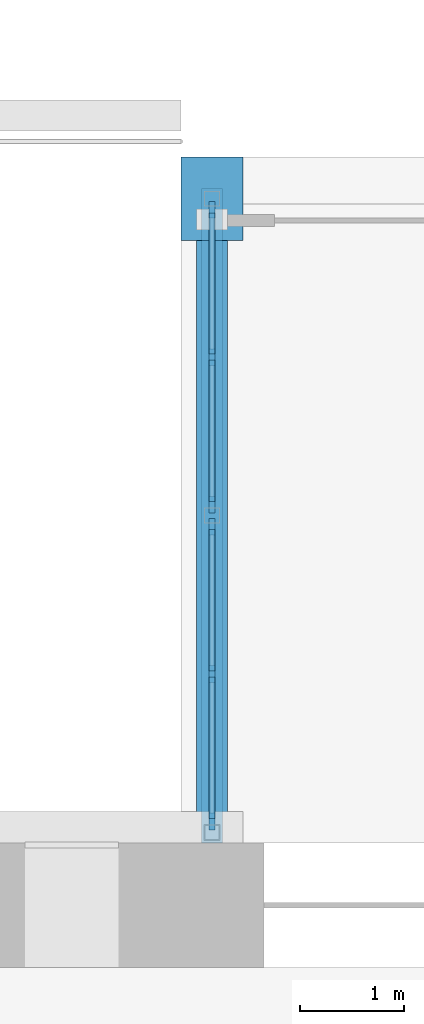
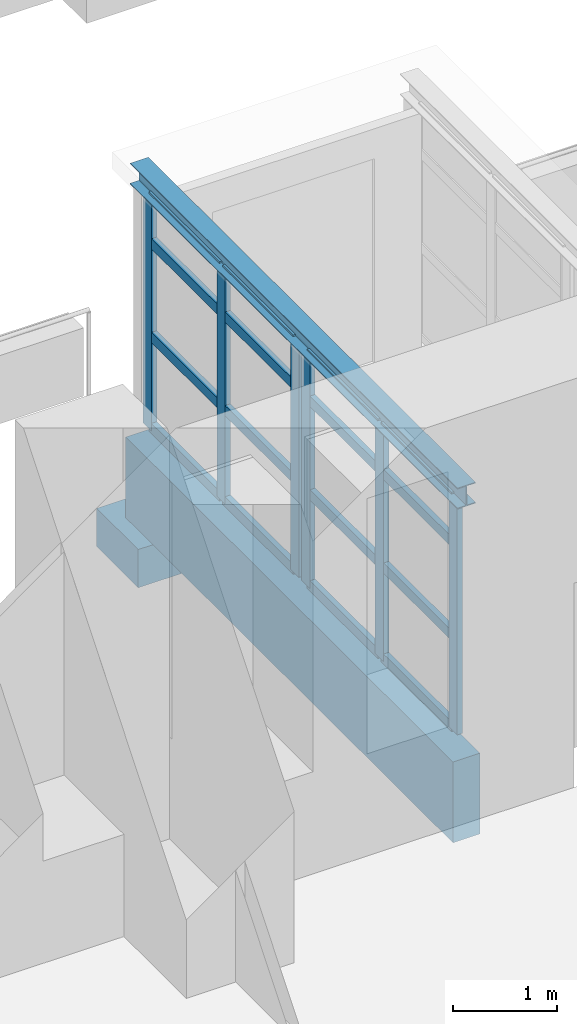
# One storey, part 46 of 131: 22 members, 3 beams, 2 elements without a shape of their own.
"""IFC4 building model written with IfcOpenShell, lengths in metres."""

from ifc_helpers import new_model, si_unit, direction, frame, origin, origin_2d, place, context, subcontext, project, spatial, rectangle, i_section, extrude, material, layer, layer_set, material_profile, profile_set, type_object, element, aggregate, save


model = new_model("IFC4")

# Units and contexts
model_context = context("Model", 3, precision=1e-05, world=origin(), true_north=direction((0.0, 1.0)))
body_context = subcontext(model_context, "Body", "Model", "MODEL_VIEW")
ifc_project = project(units=[si_unit("LENGTHUNIT", "METRE"), si_unit("AREAUNIT", "SQUARE_METRE"), si_unit("VOLUMEUNIT", "CUBIC_METRE"), si_unit("PLANEANGLEUNIT", "RADIAN"), si_unit("MASSUNIT", "GRAM", prefix="KILO")], contexts=[model_context])

# Site, building, storey
site_placement = place(None, origin())
site = spatial("IfcSite", under=ifc_project, at=site_placement, CompositionType="ELEMENT")
building_placement = place(site_placement, origin())
building = spatial("IfcBuilding", under=site, at=building_placement, Name="Alderwick Market Hall", CompositionType="ELEMENT")
storey_placement = place(building_placement, frame((0.0, 0.0, 4.800048828125)))
storey = spatial("IfcBuildingStorey", under=building, at=storey_placement, Name="L00", CompositionType="ELEMENT", Elevation=4.800048828125)

# Curtain wall, members
ifc_material_1 = material(Name="Aluminium frame", Category="aluminium")
ifc_layer = layer(ifc_material_1, 0.10009765625)
ifc_layer_set = layer_set([ifc_layer], Name="Aluminium frame")
curtain_wall_type = type_object("IfcCurtainWallType", Name="P Curtain Wall 100", PredefinedType="NOTDEFINED", material=ifc_layer_set)
curtain_wall_1_placement = place(storey_placement, origin())
curtain_wall_1 = element("IfcCurtainWall", 1, at=curtain_wall_1_placement, inside=storey, type_object=curtain_wall_type, Name="P.P2.cw.a0", PredefinedType="NOTDEFINED")
ifc_material_profile_1 = material_profile(ifc_material_1, rectangle(XDim=0.06005859375, YDim=0.159912109375, at=origin_2d()), Name="P Mullion 60x160")
ifc_profile_set_1 = profile_set([ifc_material_profile_1], Name="Aluminium frame")
member_type_1 = type_object("IfcMemberType", Name="P Mullion 60x160", PredefinedType="MULLION", material=ifc_profile_set_1)
member_1_placement = place(storey_placement, frame((126.300048828125, 108.805908203125, 0.0), z_axis=(0.0, 0.0, 1.0), x_axis=(-1.0, 0.0, 0.0)))
member_1 = element("IfcMember", 2, at=member_1_placement, type_object=member_type_1, Name="P-CW2a0 mullion 1", PredefinedType="MULLION", context=body_context, shape_type="SweptSolid", body=[
    extrude(rectangle(XDim=0.06005859375, YDim=0.159912109375, at=origin_2d()), origin(), (0.0, 0.0, 1.0), 2.7529296875),
])
member_2_placement = place(storey_placement, frame((126.300048828125, 110.22509765625, 0.0), z_axis=(0.0, 0.0, 1.0), x_axis=(-1.0, 0.0, 0.0)))
member_2 = element("IfcMember", 3, at=member_2_placement, type_object=member_type_1, Name="P-CW2a0 mullion 2", PredefinedType="MULLION", context=body_context, shape_type="SweptSolid", body=[
    extrude(rectangle(XDim=0.06005859375, YDim=0.159912109375, at=origin_2d()), origin(), (0.0, 0.0, 1.0), 2.7529296875),
])
member_3_placement = place(storey_placement, frame((126.300048828125, 111.64404296875, 0.0), z_axis=(0.0, 0.0, 1.0), x_axis=(-1.0, 0.0, 0.0)))
member_3 = element("IfcMember", 4, at=member_3_placement, type_object=member_type_1, Name="P-CW2a0 mullion 3", PredefinedType="MULLION", context=body_context, shape_type="SweptSolid", body=[
    extrude(rectangle(XDim=0.06005859375, YDim=0.159912109375, at=origin_2d()), origin(), (0.0, 0.0, 1.0), 2.7529296875),
])

curtain_wall_2_placement = place(storey_placement, origin())
curtain_wall_2 = element("IfcCurtainWall", 5, at=curtain_wall_2_placement, inside=storey, type_object=curtain_wall_type, Name="P.P2.cw.a1", PredefinedType="NOTDEFINED")
member_4_placement = place(storey_placement, frame((126.300048828125, 111.85595703125, 0.0), z_axis=(0.0, 0.0, 1.0), x_axis=(-1.0, 0.0, 0.0)))
member_4 = element("IfcMember", 6, at=member_4_placement, type_object=member_type_1, Name="P-CW2a1 mullion 1", PredefinedType="MULLION", context=body_context, shape_type="SweptSolid", body=[
    extrude(rectangle(XDim=0.06005859375, YDim=0.159912109375, at=origin_2d()), origin(), (0.0, 0.0, 1.0), 2.7529296875),
])
member_5_placement = place(storey_placement, frame((126.300048828125, 113.27490234375, 0.0), z_axis=(0.0, 0.0, 1.0), x_axis=(-1.0, 0.0, 0.0)))
member_5 = element("IfcMember", 7, at=member_5_placement, type_object=member_type_1, Name="P-CW2a1 mullion 2", PredefinedType="MULLION", context=body_context, shape_type="SweptSolid", body=[
    extrude(rectangle(XDim=0.06005859375, YDim=0.159912109375, at=origin_2d()), origin(), (0.0, 0.0, 1.0), 2.7529296875),
])
member_6_placement = place(storey_placement, frame((126.300048828125, 114.694091796875, 0.0), z_axis=(0.0, 0.0, 1.0), x_axis=(-1.0, 0.0, 0.0)))
member_6 = element("IfcMember", 8, at=member_6_placement, type_object=member_type_1, Name="P-CW2a1 mullion 3", PredefinedType="MULLION", context=body_context, shape_type="SweptSolid", body=[
    extrude(rectangle(XDim=0.06005859375, YDim=0.159912109375, at=origin_2d()), origin(), (0.0, 0.0, 1.0), 2.7529296875),
])

# Beams
ifc_material_2 = material(Name="Concrete 5000 psi (f'c 35 MPa)", Category="concrete")
ifc_material_profile_2 = material_profile(ifc_material_2, rectangle(XDim=0.60009765625, YDim=0.449951171875, at=origin_2d()), Name="P RC Bearing Corbel 600x450")
ifc_profile_set_2 = profile_set([ifc_material_profile_2], Name="Concrete 5000 psi (f'c 35 MPa)")
beam_type_1 = type_object("IfcBeamType", Name="P RC Bearing Corbel 600x450", PredefinedType="USERDEFINED", material=ifc_profile_set_2)
beam_1_placement = place(storey_placement, frame((126.300048828125, 114.39990234375, -1.39306640625), z_axis=(0.0, 1.0, 0.0), x_axis=(-1.0, 0.0, 0.0)))
element("IfcBeam", 9, at=beam_1_placement, inside=storey, type_object=beam_type_1, Name="Bearing corbel", ObjectType="CORBEL", PredefinedType="USERDEFINED", context=body_context, shape_type="SweptSolid", body=[
    extrude(rectangle(XDim=0.60009765625, YDim=0.449951171875, at=origin_2d()), origin(), (0.0, 0.0, 1.0), 0.800048828125),
])
ifc_material_profile_3 = material_profile(ifc_material_2, rectangle(XDim=0.300048828125, YDim=0.949951171875, at=origin_2d()), Name="P RC Edge Girder 300x950")
ifc_profile_set_3 = profile_set([ifc_material_profile_3], Name="Concrete 5000 psi (f'c 35 MPa)")
beam_type_2 = type_object("IfcBeamType", Name="P RC Edge Girder 300x950", PredefinedType="BEAM", material=ifc_profile_set_3)
beam_2_placement = place(storey_placement, frame((126.300048828125, 108.60009765625, -0.675048828125), z_axis=(0.0, 1.0, 0.0), x_axis=(-1.0, 0.0, 0.0)))
element("IfcBeam", 10, at=beam_2_placement, inside=storey, type_object=beam_type_2, Name="P.P2.girder.a", PredefinedType="BEAM", context=body_context, shape_type="SweptSolid", body=[
    extrude(rectangle(XDim=0.300048828125, YDim=0.949951171875, at=origin_2d()), origin(), (0.0, 0.0, 1.0), 6.2998046875),
])
ifc_material_3 = material(Name="Steel ASTM A992 Grade 50", Category="steel")
ifc_material_profile_4 = material_profile(ifc_material_3, i_section(OverallWidth=0.201904296875, OverallDepth=0.2470703125, WebThickness=0.00732421875, FlangeThickness=0.010986328125, at=origin_2d()), Name="W250x49")
ifc_profile_set_4 = profile_set([ifc_material_profile_4], Name="Steel ASTM A992 Grade 50")
beam_type_3 = type_object("IfcBeamType", Name="P Roof Beam W250x49", PredefinedType="BEAM", material=ifc_profile_set_4)
beam_3_placement = place(storey_placement, frame((126.300048828125, 108.60009765625, 2.87646484375), z_axis=(0.0, 1.0, 0.0), x_axis=(-1.0, 0.0, 0.0)))
element("IfcBeam", 11, at=beam_3_placement, inside=storey, type_object=beam_type_3, Name="P.P2.rbeam.a", PredefinedType="BEAM", context=body_context, shape_type="SweptSolid", body=[
    extrude(i_section(OverallWidth=0.201904296875, OverallDepth=0.2470703125, WebThickness=0.00732421875, FlangeThickness=0.010986328125, at=origin_2d()), origin(), (0.0, 0.0, 1.0), 6.2998046875),
])

# Member
ifc_material_profile_5 = material_profile(ifc_material_1, rectangle(XDim=0.06005859375, YDim=0.1201171875, at=origin_2d()), Name="P Transom 60x120")
ifc_profile_set_5 = profile_set([ifc_material_profile_5], Name="Aluminium frame")
member_type_2 = type_object("IfcMemberType", Name="P Transom 60x120", PredefinedType="USERDEFINED", material=ifc_profile_set_5)
member_7_placement = place(storey_placement, frame((126.300048828125, 108.8359375, 0.030029296875), z_axis=(0.0, 1.0, 0.0), x_axis=(-1.0, 0.0, 0.0)))
member_7 = element("IfcMember", 12, at=member_7_placement, type_object=member_type_2, Name="P-CW2a0 transom 1.1", ObjectType="TRANSOM", PredefinedType="USERDEFINED", context=body_context, shape_type="SweptSolid", body=[
    extrude(rectangle(XDim=0.06005859375, YDim=0.1201171875, at=origin_2d()), origin(), (0.0, 0.0, 1.0), 1.359130859375),
])

member_8_placement = place(storey_placement, frame((126.300048828125, 108.8359375, 1.099853515625), z_axis=(0.0, 1.0, 0.0), x_axis=(-1.0, 0.0, 0.0)))
member_8 = element("IfcMember", 13, at=member_8_placement, type_object=member_type_2, Name="P-CW2a0 transom 1.2", ObjectType="TRANSOM", PredefinedType="USERDEFINED", context=body_context, shape_type="SweptSolid", body=[
    extrude(rectangle(XDim=0.06005859375, YDim=0.1201171875, at=origin_2d()), origin(), (0.0, 0.0, 1.0), 1.359130859375),
])

member_9_placement = place(storey_placement, frame((126.300048828125, 108.8359375, 2.199951171875), z_axis=(0.0, 1.0, 0.0), x_axis=(-1.0, 0.0, 0.0)))
member_9 = element("IfcMember", 14, at=member_9_placement, type_object=member_type_2, Name="P-CW2a0 transom 1.3", ObjectType="TRANSOM", PredefinedType="USERDEFINED", context=body_context, shape_type="SweptSolid", body=[
    extrude(rectangle(XDim=0.06005859375, YDim=0.1201171875, at=origin_2d()), origin(), (0.0, 0.0, 1.0), 1.359130859375),
])

member_10_placement = place(storey_placement, frame((126.300048828125, 108.8359375, 2.722900390625), z_axis=(0.0, 1.0, 0.0), x_axis=(-1.0, 0.0, 0.0)))
member_10 = element("IfcMember", 15, at=member_10_placement, type_object=member_type_2, Name="P-CW2a0 transom 1.4", ObjectType="TRANSOM", PredefinedType="USERDEFINED", context=body_context, shape_type="SweptSolid", body=[
    extrude(rectangle(XDim=0.06005859375, YDim=0.1201171875, at=origin_2d()), origin(), (0.0, 0.0, 1.0), 1.359130859375),
])

member_11_placement = place(storey_placement, frame((126.300048828125, 110.2548828125, 0.030029296875), z_axis=(0.0, 1.0, 0.0), x_axis=(-1.0, 0.0, 0.0)))
member_11 = element("IfcMember", 16, at=member_11_placement, type_object=member_type_2, Name="P-CW2a0 transom 2.1", ObjectType="TRANSOM", PredefinedType="USERDEFINED", context=body_context, shape_type="SweptSolid", body=[
    extrude(rectangle(XDim=0.06005859375, YDim=0.1201171875, at=origin_2d()), origin(), (0.0, 0.0, 1.0), 1.359130859375),
])

member_12_placement = place(storey_placement, frame((126.300048828125, 110.2548828125, 1.099853515625), z_axis=(0.0, 1.0, 0.0), x_axis=(-1.0, 0.0, 0.0)))
member_12 = element("IfcMember", 17, at=member_12_placement, type_object=member_type_2, Name="P-CW2a0 transom 2.2", ObjectType="TRANSOM", PredefinedType="USERDEFINED", context=body_context, shape_type="SweptSolid", body=[
    extrude(rectangle(XDim=0.06005859375, YDim=0.1201171875, at=origin_2d()), origin(), (0.0, 0.0, 1.0), 1.359130859375),
])

member_13_placement = place(storey_placement, frame((126.300048828125, 110.2548828125, 2.199951171875), z_axis=(0.0, 1.0, 0.0), x_axis=(-1.0, 0.0, 0.0)))
member_13 = element("IfcMember", 18, at=member_13_placement, type_object=member_type_2, Name="P-CW2a0 transom 2.3", ObjectType="TRANSOM", PredefinedType="USERDEFINED", context=body_context, shape_type="SweptSolid", body=[
    extrude(rectangle(XDim=0.06005859375, YDim=0.1201171875, at=origin_2d()), origin(), (0.0, 0.0, 1.0), 1.359130859375),
])

member_14_placement = place(storey_placement, frame((126.300048828125, 110.2548828125, 2.722900390625), z_axis=(0.0, 1.0, 0.0), x_axis=(-1.0, 0.0, 0.0)))
member_14 = element("IfcMember", 19, at=member_14_placement, type_object=member_type_2, Name="P-CW2a0 transom 2.4", ObjectType="TRANSOM", PredefinedType="USERDEFINED", context=body_context, shape_type="SweptSolid", body=[
    extrude(rectangle(XDim=0.06005859375, YDim=0.1201171875, at=origin_2d()), origin(), (0.0, 0.0, 1.0), 1.359130859375),
])

aggregate(curtain_wall_1, [member_1, member_2, member_3, member_7, member_8, member_9, member_10, member_11, member_12, member_13, member_14])

member_15_placement = place(storey_placement, frame((126.300048828125, 111.885986328125, 0.030029296875), z_axis=(0.0, 1.0, 0.0), x_axis=(-1.0, 0.0, 0.0)))
member_15 = element("IfcMember", 20, at=member_15_placement, type_object=member_type_2, Name="P-CW2a1 transom 1.1", ObjectType="TRANSOM", PredefinedType="USERDEFINED", context=body_context, shape_type="SweptSolid", body=[
    extrude(rectangle(XDim=0.06005859375, YDim=0.1201171875, at=origin_2d()), origin(), (0.0, 0.0, 1.0), 1.359130859375),
])

member_16_placement = place(storey_placement, frame((126.300048828125, 111.885986328125, 1.099853515625), z_axis=(0.0, 1.0, 0.0), x_axis=(-1.0, 0.0, 0.0)))
member_16 = element("IfcMember", 21, at=member_16_placement, type_object=member_type_2, Name="P-CW2a1 transom 1.2", ObjectType="TRANSOM", PredefinedType="USERDEFINED", context=body_context, shape_type="SweptSolid", body=[
    extrude(rectangle(XDim=0.06005859375, YDim=0.1201171875, at=origin_2d()), origin(), (0.0, 0.0, 1.0), 1.359130859375),
])

member_17_placement = place(storey_placement, frame((126.300048828125, 111.885986328125, 2.199951171875), z_axis=(0.0, 1.0, 0.0), x_axis=(-1.0, 0.0, 0.0)))
member_17 = element("IfcMember", 22, at=member_17_placement, type_object=member_type_2, Name="P-CW2a1 transom 1.3", ObjectType="TRANSOM", PredefinedType="USERDEFINED", context=body_context, shape_type="SweptSolid", body=[
    extrude(rectangle(XDim=0.06005859375, YDim=0.1201171875, at=origin_2d()), origin(), (0.0, 0.0, 1.0), 1.359130859375),
])

member_18_placement = place(storey_placement, frame((126.300048828125, 111.885986328125, 2.722900390625), z_axis=(0.0, 1.0, 0.0), x_axis=(-1.0, 0.0, 0.0)))
member_18 = element("IfcMember", 23, at=member_18_placement, type_object=member_type_2, Name="P-CW2a1 transom 1.4", ObjectType="TRANSOM", PredefinedType="USERDEFINED", context=body_context, shape_type="SweptSolid", body=[
    extrude(rectangle(XDim=0.06005859375, YDim=0.1201171875, at=origin_2d()), origin(), (0.0, 0.0, 1.0), 1.359130859375),
])

member_19_placement = place(storey_placement, frame((126.300048828125, 113.304931640625, 0.030029296875), z_axis=(0.0, 1.0, 0.0), x_axis=(-1.0, 0.0, 0.0)))
member_19 = element("IfcMember", 24, at=member_19_placement, type_object=member_type_2, Name="P-CW2a1 transom 2.1", ObjectType="TRANSOM", PredefinedType="USERDEFINED", context=body_context, shape_type="SweptSolid", body=[
    extrude(rectangle(XDim=0.06005859375, YDim=0.1201171875, at=origin_2d()), origin(), (0.0, 0.0, 1.0), 1.359130859375),
])

member_20_placement = place(storey_placement, frame((126.300048828125, 113.304931640625, 1.099853515625), z_axis=(0.0, 1.0, 0.0), x_axis=(-1.0, 0.0, 0.0)))
member_20 = element("IfcMember", 25, at=member_20_placement, type_object=member_type_2, Name="P-CW2a1 transom 2.2", ObjectType="TRANSOM", PredefinedType="USERDEFINED", context=body_context, shape_type="SweptSolid", body=[
    extrude(rectangle(XDim=0.06005859375, YDim=0.1201171875, at=origin_2d()), origin(), (0.0, 0.0, 1.0), 1.359130859375),
])

member_21_placement = place(storey_placement, frame((126.300048828125, 113.304931640625, 2.199951171875), z_axis=(0.0, 1.0, 0.0), x_axis=(-1.0, 0.0, 0.0)))
member_21 = element("IfcMember", 26, at=member_21_placement, type_object=member_type_2, Name="P-CW2a1 transom 2.3", ObjectType="TRANSOM", PredefinedType="USERDEFINED", context=body_context, shape_type="SweptSolid", body=[
    extrude(rectangle(XDim=0.06005859375, YDim=0.1201171875, at=origin_2d()), origin(), (0.0, 0.0, 1.0), 1.359130859375),
])

member_22_placement = place(storey_placement, frame((126.300048828125, 113.304931640625, 2.722900390625), z_axis=(0.0, 1.0, 0.0), x_axis=(-1.0, 0.0, 0.0)))
member_22 = element("IfcMember", 27, at=member_22_placement, type_object=member_type_2, Name="P-CW2a1 transom 2.4", ObjectType="TRANSOM", PredefinedType="USERDEFINED", context=body_context, shape_type="SweptSolid", body=[
    extrude(rectangle(XDim=0.06005859375, YDim=0.1201171875, at=origin_2d()), origin(), (0.0, 0.0, 1.0), 1.359130859375),
])

aggregate(curtain_wall_2, [member_4, member_5, member_6, member_15, member_16, member_17, member_18, member_19, member_20, member_21, member_22])

save(model, "model.ifc")
